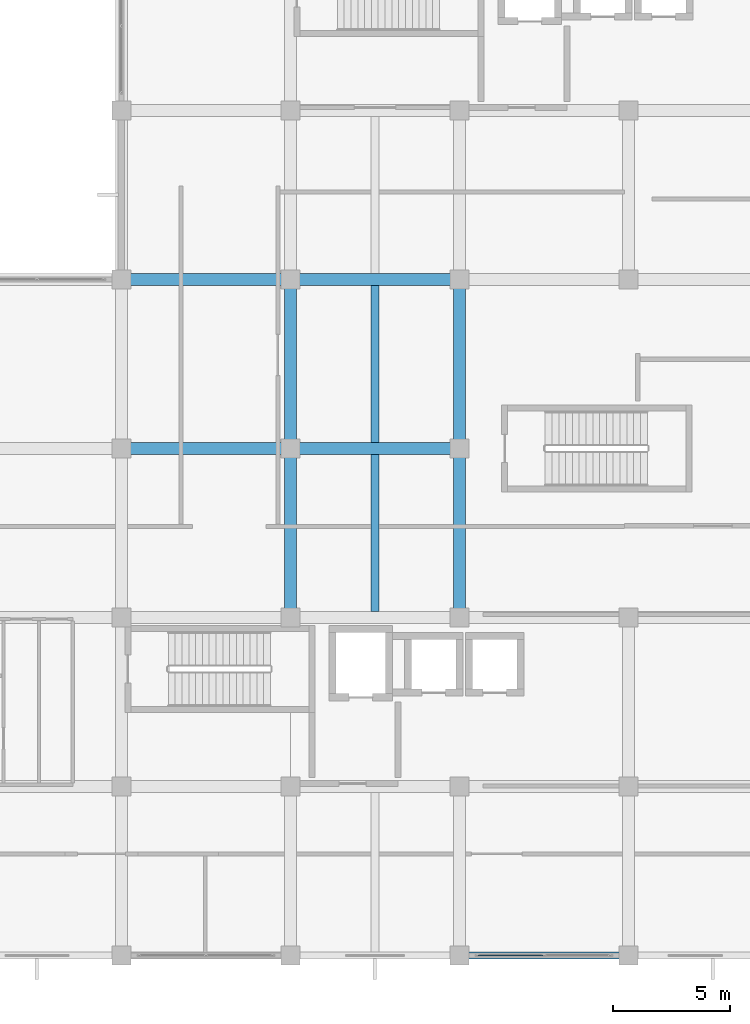
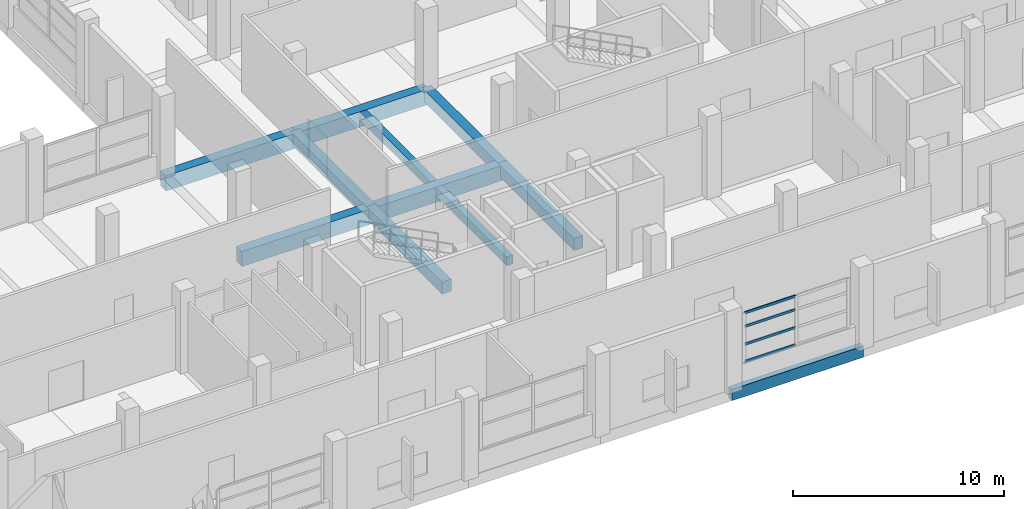
# One storey, part 32 of 140: 11 beams, 4 members, 1 element without a shape of its own.
"""IFC4 building model written with IfcOpenShell, lengths in metres."""

from ifc_helpers import new_model, si_unit, direction, frame, origin, origin_2d, place, context, subcontext, project, spatial, rectangle, hollow_rectangle, extrude, material, layer, layer_set, material_profile, profile_set, type_object, element, aggregate, save


model = new_model("IFC4")

# Units and contexts
model_context = context("Model", 3, precision=1e-05, world=origin(), true_north=direction((0.0, 1.0)))
body_context = subcontext(model_context, "Body", "Model", "MODEL_VIEW")
ifc_project = project(units=[si_unit("LENGTHUNIT", "METRE"), si_unit("AREAUNIT", "SQUARE_METRE"), si_unit("VOLUMEUNIT", "CUBIC_METRE"), si_unit("PLANEANGLEUNIT", "RADIAN"), si_unit("MASSUNIT", "GRAM", prefix="KILO")], contexts=[model_context])

# Site, building, storey
site_placement = place(None, origin())
site = spatial("IfcSite", under=ifc_project, at=site_placement, CompositionType="ELEMENT")
building_placement = place(site_placement, origin())
building = spatial("IfcBuilding", under=site, at=building_placement, Name="Seraya Terrace Polytechnic", CompositionType="ELEMENT")
storey_placement = place(building_placement, frame((0.0, 0.0, 9.60009765625)))
storey = spatial("IfcBuildingStorey", under=building, at=storey_placement, Name="L02", CompositionType="ELEMENT", Elevation=9.60009765625)

# Beams
ifc_material_1 = material(Name="Concrete C40/50", Category="concrete")
ifc_material_profile_1 = material_profile(ifc_material_1, rectangle(XDim=0.52001953125, YDim=0.8798828125, at=origin_2d()), Name="RC 520x880")
ifc_profile_set_1 = profile_set([ifc_material_profile_1], Name="Concrete C40/50")
beam_type_1 = type_object("IfcBeamType", Name="BM-04", PredefinedType="BEAM", material=ifc_profile_set_1)
beam_1_placement = place(storey_placement, frame((79.199951171875, 21.60009765625, -0.440185546875), z_axis=(1.0, 0.0, 0.0), x_axis=(0.0, 1.0, 0.0)))
element("IfcBeam", 1, at=beam_1_placement, inside=storey, type_object=beam_type_1, Name="Beam BM-04 L02 X (79.2..86.4, 21.6)", PredefinedType="BEAM", context=body_context, shape_type="SweptSolid", body=[
    extrude(rectangle(XDim=0.52001953125, YDim=0.8798828125, at=origin_2d()), origin(), (0.0, 0.0, 1.0), 7.199951171875),
])
beam_2_placement = place(storey_placement, frame((86.39990234375, 21.60009765625, -0.440185546875), z_axis=(1.0, 0.0, 0.0), x_axis=(0.0, 1.0, 0.0)))
element("IfcBeam", 2, at=beam_2_placement, inside=storey, type_object=beam_type_1, Name="Beam BM-04 L02 X (86.4..93.6, 21.6)", PredefinedType="BEAM", context=body_context, shape_type="SweptSolid", body=[
    extrude(rectangle(XDim=0.52001953125, YDim=0.8798828125, at=origin_2d()), origin(), (0.0, 0.0, 1.0), 7.2001953125),
])
beam_3_placement = place(storey_placement, frame((79.199951171875, 28.800048828125, -0.440185546875), z_axis=(1.0, 0.0, 0.0), x_axis=(0.0, 1.0, 0.0)))
element("IfcBeam", 3, at=beam_3_placement, inside=storey, type_object=beam_type_1, Name="Beam BM-04 L02 X (79.2..86.4, 28.8)", PredefinedType="BEAM", context=body_context, shape_type="SweptSolid", body=[
    extrude(rectangle(XDim=0.52001953125, YDim=0.8798828125, at=origin_2d()), origin(), (0.0, 0.0, 1.0), 7.199951171875),
])
beam_4_placement = place(storey_placement, frame((86.39990234375, 28.800048828125, -0.440185546875), z_axis=(1.0, 0.0, 0.0), x_axis=(0.0, 1.0, 0.0)))
element("IfcBeam", 4, at=beam_4_placement, inside=storey, type_object=beam_type_1, Name="Beam BM-04 L02 X (86.4..93.6, 28.8)", PredefinedType="BEAM", context=body_context, shape_type="SweptSolid", body=[
    extrude(rectangle(XDim=0.52001953125, YDim=0.8798828125, at=origin_2d()), origin(), (0.0, 0.0, 1.0), 7.2001953125),
])
ifc_material_profile_2 = material_profile(ifc_material_1, rectangle(XDim=0.5, YDim=0.699951171875, at=origin_2d()), Name="RC 500x700")
ifc_profile_set_2 = profile_set([ifc_material_profile_2], Name="Concrete C40/50")
beam_type_2 = type_object("IfcBeamType", Name="BM-07", PredefinedType="BEAM", material=ifc_profile_set_2)
beam_5_placement = place(storey_placement, frame((86.39990234375, 14.39990234375, -0.35009765625), z_axis=(0.0, 1.0, 0.0), x_axis=(-1.0, 0.0, 0.0)))
element("IfcBeam", 5, at=beam_5_placement, inside=storey, type_object=beam_type_2, Name="Beam BM-07 L02 Y (86.4, 14.4..21.6)", PredefinedType="BEAM", context=body_context, shape_type="SweptSolid", body=[
    extrude(rectangle(XDim=0.5, YDim=0.699951171875, at=origin_2d()), origin(), (0.0, 0.0, 1.0), 7.2001953125),
])
beam_6_placement = place(storey_placement, frame((86.39990234375, 21.60009765625, -0.35009765625), z_axis=(0.0, 1.0, 0.0), x_axis=(-1.0, 0.0, 0.0)))
element("IfcBeam", 6, at=beam_6_placement, inside=storey, type_object=beam_type_2, Name="Beam BM-07 L02 Y (86.4, 21.6..28.8)", PredefinedType="BEAM", context=body_context, shape_type="SweptSolid", body=[
    extrude(rectangle(XDim=0.5, YDim=0.699951171875, at=origin_2d()), origin(), (0.0, 0.0, 1.0), 7.199951171875),
])
beam_7_placement = place(storey_placement, frame((93.60009765625, 14.39990234375, -0.35009765625), z_axis=(0.0, 1.0, 0.0), x_axis=(-1.0, 0.0, 0.0)))
element("IfcBeam", 7, at=beam_7_placement, inside=storey, type_object=beam_type_2, Name="Beam BM-07 L02 Y (93.6, 14.4..21.6)", PredefinedType="BEAM", context=body_context, shape_type="SweptSolid", body=[
    extrude(rectangle(XDim=0.5, YDim=0.699951171875, at=origin_2d()), origin(), (0.0, 0.0, 1.0), 7.2001953125),
])
beam_8_placement = place(storey_placement, frame((93.60009765625, 21.60009765625, -0.35009765625), z_axis=(0.0, 1.0, 0.0), x_axis=(-1.0, 0.0, 0.0)))
element("IfcBeam", 8, at=beam_8_placement, inside=storey, type_object=beam_type_2, Name="Beam BM-07 L02 Y (93.6, 21.6..28.8)", PredefinedType="BEAM", context=body_context, shape_type="SweptSolid", body=[
    extrude(rectangle(XDim=0.5, YDim=0.699951171875, at=origin_2d()), origin(), (0.0, 0.0, 1.0), 7.199951171875),
])

# Curtain wall, members
ifc_material_2 = material(Name="Anodised aluminium EN AW-6063 T6", Category="aluminium")
ifc_layer = layer(ifc_material_2, 0.179931640625, Name="CW-01")
ifc_layer_set = layer_set([ifc_layer], Name="Anodised aluminium EN AW-6063 T6")
curtain_wall_type = type_object("IfcCurtainWallType", Name="CW-01", PredefinedType="NOTDEFINED", material=ifc_layer_set)
curtain_wall_placement = place(storey_placement, origin())
curtain_wall = element("IfcCurtainWall", 9, at=curtain_wall_placement, inside=storey, type_object=curtain_wall_type, Name="Unitised curtain wall CW-01 (CW-L02-073)", PredefinedType="NOTDEFINED")
ifc_material_profile_3 = material_profile(ifc_material_2, hollow_rectangle(XDim=0.06005859375, YDim=0.139892578125, WallThickness=0.00341796875, at=origin_2d()), Name="RHS 140x60x3.5")
ifc_profile_set_3 = profile_set([ifc_material_profile_3], Name="Anodised aluminium EN AW-6063 T6")
member_type = type_object("IfcMemberType", Name="CWT-01", PredefinedType="USERDEFINED", material=ifc_profile_set_3)
member_1_placement = place(storey_placement, frame((97.16748046875, 0.0, 1.27001953125), z_axis=(-1.0, 0.0, 0.0), x_axis=(0.0, -1.0, 0.0)))
member_1 = element("IfcMember", 10, at=member_1_placement, type_object=member_type, Name="CW-01 transom 2.1", ObjectType="TRANSOM", PredefinedType="USERDEFINED", context=body_context, shape_type="SweptSolid", body=[
    extrude(hollow_rectangle(XDim=0.06005859375, YDim=0.139892578125, WallThickness=0.00341796875, at=origin_2d()), origin(), (0.0, 0.0, 1.0), 2.782470703125),
])
member_2_placement = place(storey_placement, frame((97.16748046875, 0.0, 2.273193359375), z_axis=(-1.0, 0.0, 0.0), x_axis=(0.0, -1.0, 0.0)))
member_2 = element("IfcMember", 11, at=member_2_placement, type_object=member_type, Name="CW-01 transom 2.2", ObjectType="TRANSOM", PredefinedType="USERDEFINED", context=body_context, shape_type="SweptSolid", body=[
    extrude(hollow_rectangle(XDim=0.06005859375, YDim=0.139892578125, WallThickness=0.00341796875, at=origin_2d()), origin(), (0.0, 0.0, 1.0), 2.782470703125),
])
member_3_placement = place(storey_placement, frame((97.16748046875, 0.0, 3.306396484375), z_axis=(-1.0, 0.0, 0.0), x_axis=(0.0, -1.0, 0.0)))
member_3 = element("IfcMember", 12, at=member_3_placement, type_object=member_type, Name="CW-01 transom 2.3", ObjectType="TRANSOM", PredefinedType="USERDEFINED", context=body_context, shape_type="SweptSolid", body=[
    extrude(hollow_rectangle(XDim=0.06005859375, YDim=0.139892578125, WallThickness=0.00341796875, at=origin_2d()), origin(), (0.0, 0.0, 1.0), 2.782470703125),
])
member_4_placement = place(storey_placement, frame((97.16748046875, 0.0, 4.079833984375), z_axis=(-1.0, 0.0, 0.0), x_axis=(0.0, -1.0, 0.0)))
member_4 = element("IfcMember", 13, at=member_4_placement, type_object=member_type, Name="CW-01 transom 2.4", ObjectType="TRANSOM", PredefinedType="USERDEFINED", context=body_context, shape_type="SweptSolid", body=[
    extrude(hollow_rectangle(XDim=0.06005859375, YDim=0.139892578125, WallThickness=0.00341796875, at=origin_2d()), origin(), (0.0, 0.0, 1.0), 2.782470703125),
])
aggregate(curtain_wall, [member_1, member_2, member_3, member_4])

# Beams
ifc_material_profile_4 = material_profile(ifc_material_1, rectangle(XDim=0.35009765625, YDim=0.5, at=origin_2d()), Name="RC 350x500")
ifc_profile_set_4 = profile_set([ifc_material_profile_4], Name="Concrete C40/50")
beam_type_3 = type_object("IfcBeamType", Name="JS-03", PredefinedType="JOIST", material=ifc_profile_set_4)
beam_9_placement = place(storey_placement, frame((90.0, 14.659912109375, -0.25), z_axis=(0.0, 1.0, 0.0), x_axis=(-1.0, 0.0, 0.0)))
element("IfcBeam", 14, at=beam_9_placement, inside=storey, type_object=beam_type_3, Name="Secondary joist JS-03 L02", PredefinedType="JOIST", context=body_context, shape_type="SweptSolid", body=[
    extrude(rectangle(XDim=0.35009765625, YDim=0.5, at=origin_2d()), origin(), (0.0, 0.0, 1.0), 6.68017578125),
])
beam_10_placement = place(storey_placement, frame((90.0, 21.860107421875, -0.25), z_axis=(0.0, 1.0, 0.0), x_axis=(-1.0, 0.0, 0.0)))
element("IfcBeam", 15, at=beam_10_placement, inside=storey, type_object=beam_type_3, Name="Secondary joist JS-03 L02", PredefinedType="JOIST", context=body_context, shape_type="SweptSolid", body=[
    extrude(rectangle(XDim=0.35009765625, YDim=0.5, at=origin_2d()), origin(), (0.0, 0.0, 1.0), 6.679931640625),
])
ifc_material_profile_5 = material_profile(ifc_material_1, rectangle(XDim=0.300048828125, YDim=0.64990234375, at=origin_2d()), Name="RC 300x650")
ifc_profile_set_5 = profile_set([ifc_material_profile_5], Name="Concrete C40/50")
beam_type_4 = type_object("IfcBeamType", Name="SP-01", PredefinedType="SPANDREL", material=ifc_profile_set_5)
beam_11_placement = place(storey_placement, frame((93.60009765625, 0.0, -0.3251953125), z_axis=(1.0, 0.0, 0.0), x_axis=(0.0, 1.0, 0.0)))
element("IfcBeam", 16, at=beam_11_placement, inside=storey, type_object=beam_type_4, Name="Beam SP-01 L02 X (93.6..100.8, 0.0)", PredefinedType="SPANDREL", context=body_context, shape_type="SweptSolid", body=[
    extrude(rectangle(XDim=0.300048828125, YDim=0.64990234375, at=origin_2d()), origin(), (0.0, 0.0, 1.0), 7.199951171875),
])

save(model, "model.ifc")
